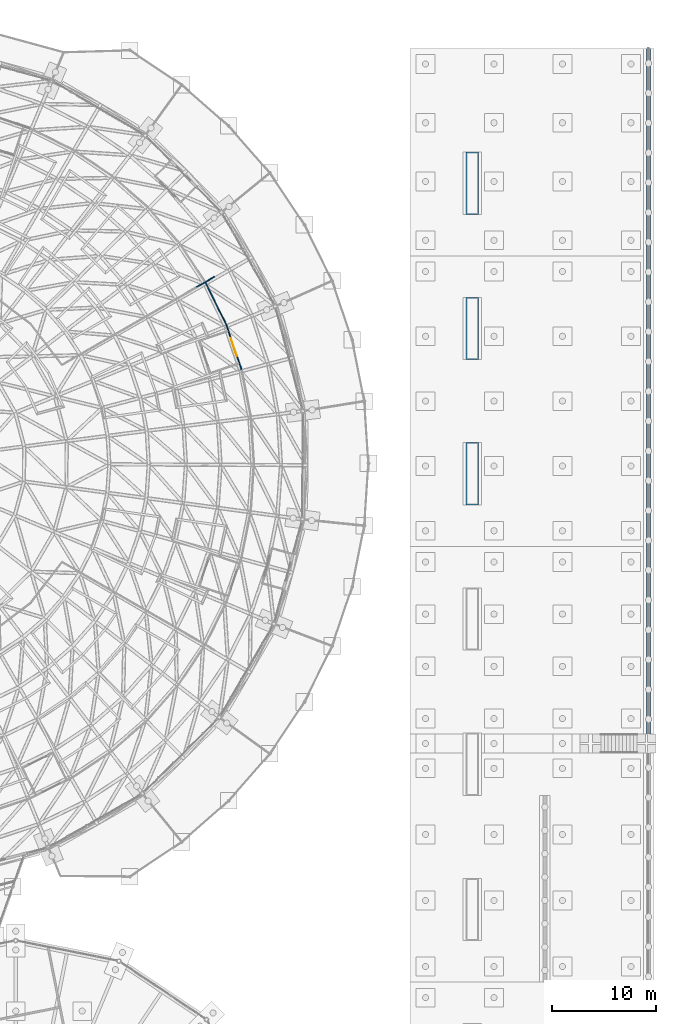
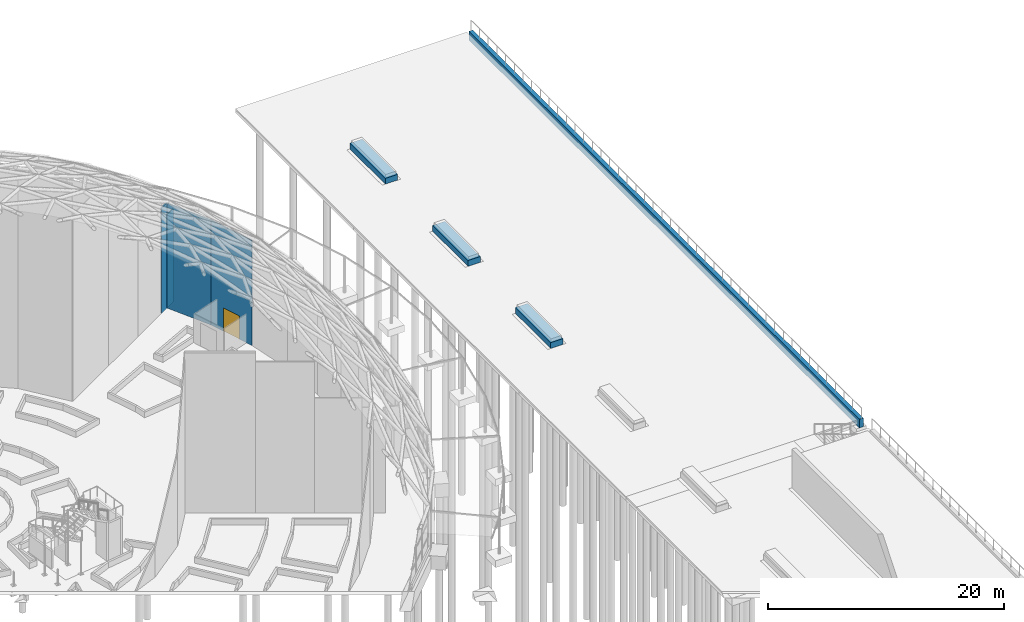
# One storey, part 180 of 226: 8 walls, 1 door, 1 opening.
"""IFC4 building model written with IfcOpenShell, lengths in metres."""

from ifc_helpers import new_model, si_unit, direction, frame, frame_2d, origin, place, context, subcontext, project, spatial, polyline, rectangle, outline, extrude, material, layer, layer_set, type_object, element, fill, save


model = new_model("IFC4")

# Units and contexts
model_context = context("Model", 3, precision=1e-05, world=origin(), true_north=direction((0.0, 1.0)))
body_context = subcontext(model_context, "Body", "Model", "MODEL_VIEW")
ifc_project = project(units=[si_unit("LENGTHUNIT", "METRE"), si_unit("AREAUNIT", "SQUARE_METRE"), si_unit("VOLUMEUNIT", "CUBIC_METRE"), si_unit("PLANEANGLEUNIT", "RADIAN"), si_unit("MASSUNIT", "GRAM", prefix="KILO")], contexts=[model_context])

# Site, building, storey
site_placement = place(None, origin())
site = spatial("IfcSite", under=ifc_project, at=site_placement, CompositionType="ELEMENT")
building_placement = place(site_placement, origin())
building = spatial("IfcBuilding", under=site, at=building_placement, Name="Ceibo Conservatory and Research Tower", CompositionType="ELEMENT")
storey_placement = place(building_placement, origin())
storey = spatial("IfcBuildingStorey", under=building, at=storey_placement, Name="L00", CompositionType="ELEMENT", Elevation=0.0)

# Wall, opening, door
ifc_material_1 = material(Name="Aluminium and glass", Category="aluminium")
ifc_layer_1 = layer(ifc_material_1, 0.10009765625)
ifc_layer_set_1 = layer_set([ifc_layer_1], Name="Aluminium and glass")
wall_type_1 = type_object("IfcWallType", Name="Airlock screen wall 100", PredefinedType="PARTITIONING", material=ifc_layer_set_1)
wall_1_placement = place(storey_placement, frame((189.759033203125, 117.045654296875, 0.0), z_axis=(0.0, 0.0, 1.0), x_axis=(-0.321429748592, 0.946933427818, 0.0)))
wall_1 = element("IfcWall", 1, at=wall_1_placement, inside=storey, type_object=wall_type_1, Name="Glazed partition O", PredefinedType="PARTITIONING", context=body_context, shape_type="SweptSolid", body=[
    extrude(outline(polyline([(-0.003173828125, -0.050048828125), (4.574951171875, -0.050048828125), (4.568603515625, 0.050048828125), (0.003173828125, 0.050048828125), (-0.003173828125, -0.050048828125)])), origin(), (0.0, 0.0, 1.0), 10.841552734375),
])
opening_placement = place(wall_1_placement, frame((1.3857421875, 0.0, 0.0)))
opening = element("IfcOpeningElement", 2, at=opening_placement, cuts=wall_1, Name="Opening A-AL13", PredefinedType="OPENING", context=body_context, shape_type="SweptSolid", body=[
    extrude(rectangle(XDim=1.800048828125, YDim=2.39990234375, at=frame_2d((0.89990234375, 1.199951171875))), frame((0.0, 0.06005859375, 0.0), z_axis=(0.0, -1.0, 0.0), x_axis=(1.0, 0.0, 0.0)), (0.0, 0.0, 1.0), 0.1201171875),
])
door_type = type_object("IfcDoorType", Name="Glass sliding door 1800x2400", OperationType="DOUBLE_DOOR_SLIDING", PredefinedType="DOOR", material=ifc_material_1)
door_placement = place(opening_placement, origin())
door = element("IfcDoor", 3, at=door_placement, inside=storey, type_object=door_type, Name="Airlock door A-AL13", OperationType="DOUBLE_DOOR_SLIDING", OverallHeight=2.39990234375, OverallWidth=1.800048828125, PredefinedType="DOOR", context=body_context, shape_type="SweptSolid", body=[
    extrude(rectangle(XDim=1.800048828125, YDim=2.39990234375, at=frame_2d((0.89990234375, 1.199951171875))), frame((0.0, 0.02490234375, 0.0), z_axis=(0.0, -1.0, 0.0), x_axis=(1.0, 0.0, 0.0)), (0.0, 0.0, 1.0), 0.050048828125),
])
fill(opening, door)

# Walls
wall_2_placement = place(storey_placement, frame((188.28955078125, 121.374755859375, 0.0), z_axis=(0.0, 0.0, 1.0), x_axis=(-0.442293661028, 0.896870290184, 0.0)))
element("IfcWall", 4, at=wall_2_placement, inside=storey, type_object=wall_type_1, Name="Glazed partition O", PredefinedType="PARTITIONING", context=body_context, shape_type="SweptSolid", body=[
    extrude(outline(polyline([(-0.003173828125, -0.050048828125), (4.57470703125, -0.050048828125), (4.568359375, 0.050048828125), (0.003173828125, 0.050048828125), (-0.003173828125, -0.050048828125)])), origin(), (0.0, 0.0, 1.0), 10.84130859375),
])
wall_3_placement = place(storey_placement, frame((185.44482421875, 125.0, 0.0), z_axis=(0.0, 0.0, 1.0), x_axis=(0.866013897511, 0.50001992892, 0.0)))
element("IfcWall", 5, at=wall_3_placement, inside=storey, type_object=wall_type_1, Name="Glazed partition R", PredefinedType="PARTITIONING", context=body_context, shape_type="SweptSolid", body=[
    extrude(rectangle(XDim=0.89990234375, YDim=0.10009765625, at=frame_2d((0.449951171875, 0.0))), origin(), (0.0, 0.0, 1.0), 10.897705078125),
])
wall_4_placement = place(storey_placement, frame((186.26904296875, 125.475830078125, 0.0), z_axis=(0.0, 0.0, 1.0), x_axis=(0.866042106815, 0.499971068387, 0.0)))
element("IfcWall", 6, at=wall_4_placement, inside=storey, type_object=wall_type_1, Name="Glazed partition R", PredefinedType="PARTITIONING", context=body_context, shape_type="SweptSolid", body=[
    extrude(rectangle(XDim=1.04833984375, YDim=0.10009765625, at=frame_2d((0.524169921875, 0.0))), origin(), (0.0, 0.0, 1.0), 9.62109375),
])
ifc_material_2 = material(Name="Concrete C30/37", Category="concrete")
ifc_layer_2 = layer(ifc_material_2, 1.199951171875)
ifc_layer_set_2 = layer_set([ifc_layer_2], Name="Concrete C30/37")
wall_type_2 = type_object("IfcWallType", Name="Planter wall 1200", PredefinedType="PARAPET", material=ifc_layer_set_2)
for number, where, z_axis, x_axis, name in (
    (7, (212.0, 104.0, 0.0), (0.0, 0.0, 1.0), (0.0, 1.0, 0.0), "Planter 7"),
    (8, (212.0, 118.0, 0.0), (0.0, 0.0, 1.0), (0.0, 1.0, 0.0), "Planter 8"),
    (9, (212.0, 132.0, 0.0), (0.0, 0.0, 1.0), (0.0, 1.0, 0.0), "Planter 9"),
):
    element("IfcWall", number, at=place(storey_placement, frame(where, z_axis=z_axis, x_axis=x_axis)), inside=storey, type_object=wall_type_2, Name=name, PredefinedType="PARAPET", context=body_context, shape_type="SweptSolid", body=[
        extrude(rectangle(XDim=6.0, YDim=1.199951171875, at=frame_2d((3.0, 0.0))), origin(), (0.0, 0.0, 1.0), 0.60009765625),
    ])
ifc_material_3 = material(Name="Concrete C35/45", Category="concrete")
ifc_layer_3 = layer(ifc_material_3, 0.39990234375)
ifc_layer_set_3 = layer_set([ifc_layer_3], Name="Concrete C35/45")
wall_type_3 = type_object("IfcWallType", Name="Quay edge wall 400", PredefinedType="SOLIDWALL", material=ifc_layer_set_3)
wall_5_placement = place(storey_placement, frame((229.0, 81.89990234375, -0.89990234375), z_axis=(0.0, 0.0, 1.0), x_axis=(0.0, 1.0, 0.0)))
element("IfcWall", 10, at=wall_5_placement, inside=storey, type_object=wall_type_3, Name="Quay edge wall", PredefinedType="SOLIDWALL", context=body_context, shape_type="SweptSolid", body=[
    extrude(rectangle(XDim=66.10009765625, YDim=0.39990234375, at=frame_2d((33.050048828125, 0.0))), origin(), (0.0, 0.0, 1.0), 0.89990234375),
])

save(model, "model.ifc")
